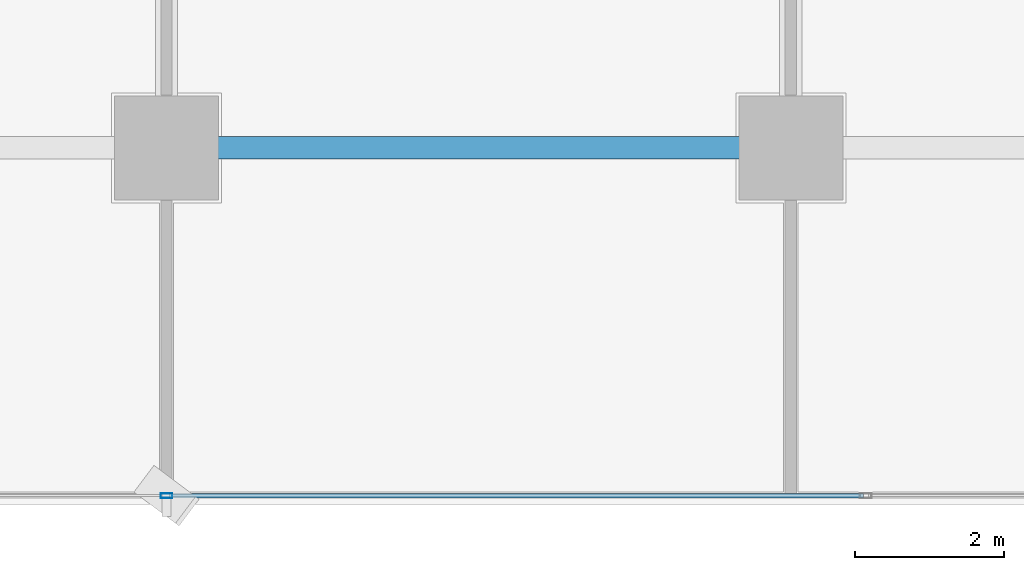
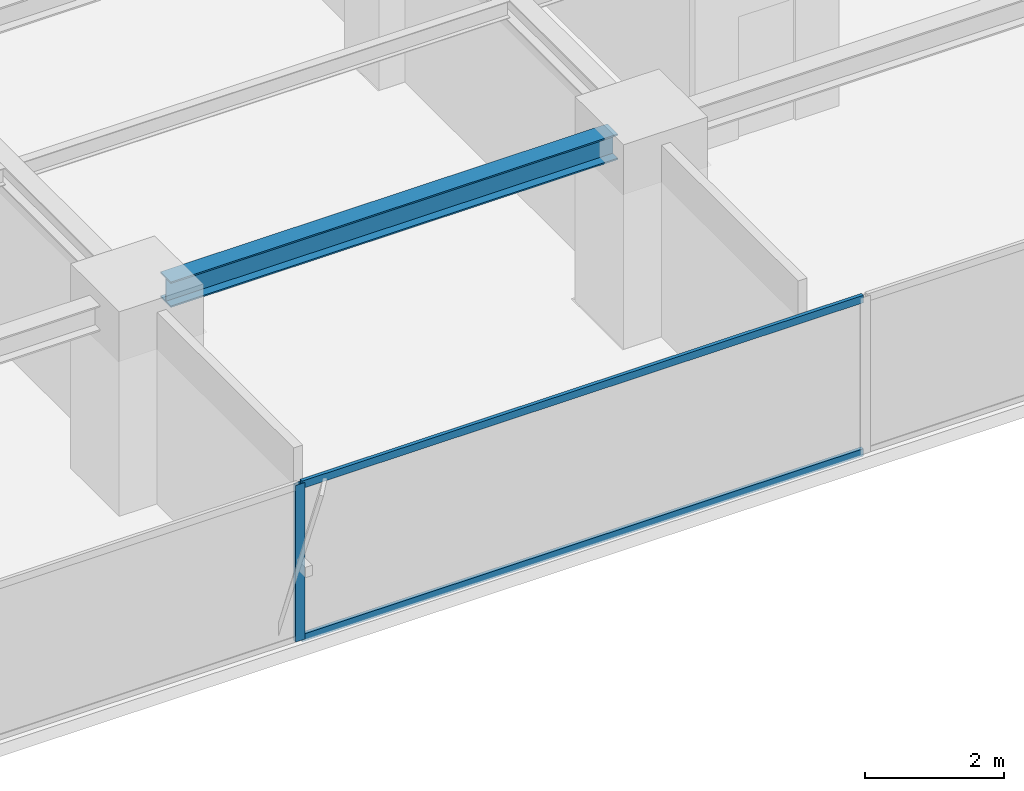
# One storey, part 5 of 28: 3 members, 1 beam, 1 element without a shape of its own.
"""IFC4 building model written with IfcOpenShell, lengths in metres."""

from ifc_helpers import new_model, si_unit, direction, frame, origin, origin_2d, place, context, subcontext, project, spatial, hollow_rectangle, i_section, extrude, source, transform, mapped, material, layer, layer_set, material_profile, profile_set, type_object, element, aggregate, save


model = new_model("IFC4")

# Units and contexts
model_context = context("Model", 3, precision=1e-05, world=origin(), true_north=direction((0.0, 1.0)))
body_context = subcontext(model_context, "Body", "Model", "MODEL_VIEW")
ifc_project = project(units=[si_unit("LENGTHUNIT", "METRE"), si_unit("AREAUNIT", "SQUARE_METRE"), si_unit("VOLUMEUNIT", "CUBIC_METRE"), si_unit("PLANEANGLEUNIT", "RADIAN"), si_unit("MASSUNIT", "GRAM", prefix="KILO")], contexts=[model_context])

# Site, building, storey
site_placement = place(None, origin())
site = spatial("IfcSite", under=ifc_project, at=site_placement, CompositionType="ELEMENT")
building_placement = place(site_placement, origin())
building = spatial("IfcBuilding", under=site, at=building_placement, Name="Sumidabori Civic Tower", CompositionType="ELEMENT")
storey_placement = place(building_placement, frame((0.0, 0.0, 149.60009765625)))
storey = spatial("IfcBuildingStorey", under=building, at=storey_placement, Name="L38", CompositionType="ELEMENT", Elevation=149.60009765625)

# Beam
ifc_material_1 = material(Name="Steel SN490", Category="steel")
ifc_material_profile_1 = material_profile(ifc_material_1, i_section(OverallWidth=0.300048828125, OverallDepth=0.449951171875, WebThickness=0.013916015625, FlangeThickness=0.02587890625, at=origin_2d()), Name="HE 450 B")
ifc_profile_set_1 = profile_set([ifc_material_profile_1], Name="Steel SN490")
beam_type = type_object("IfcBeamType", Name="BM-GIRD-450", PredefinedType="BEAM", material=ifc_profile_set_1)
shared_shape_1 = source(origin(), body_context, "Body", "SweptSolid", [
    extrude(i_section(OverallWidth=0.300048828125, OverallDepth=0.449951171875, WebThickness=0.013916015625, FlangeThickness=0.02587890625, at=origin_2d()), origin(), (0.0, 0.0, 1.0), 7.43994140625),
])
beam_placement = place(storey_placement, frame((0.47998046875, -18.0, 3.15478515625), z_axis=(1.0, 0.0, 0.0), x_axis=(0.0, 1.0, 0.0)))
element("IfcBeam", 1, at=beam_placement, inside=storey, type_object=beam_type, Name="Primary Girder L38 GX-03", PredefinedType="BEAM", context=body_context, shape_type="MappedRepresentation", body=[
    mapped(shared_shape_1, transform((0.0, 0.0, 0.0), x_axis=(1.0, 0.0, 0.0), y_axis=(0.0, 1.0, 0.0), z_axis=(0.0, 0.0, 1.0), scale=1.0)),
])

# Curtain wall, members
ifc_material_2 = material(Name="Anodised Bronze Aluminium AW-6063-T6", Category="aluminium")
ifc_layer = layer(ifc_material_2, 0.179931640625, Name="Anodised Bronze Aluminium AW-6063-T6")
ifc_layer_set = layer_set([ifc_layer], Name="Anodised Bronze Aluminium AW-6063-T6")
curtain_wall_type = type_object("IfcCurtainWallType", Name="CW-SYS-3", PredefinedType="NOTDEFINED", material=ifc_layer_set)
curtain_wall_placement = place(storey_placement, origin())
curtain_wall = element("IfcCurtainWall", 2, at=curtain_wall_placement, inside=storey, type_object=curtain_wall_type, Name="Curtain Wall CW:L38:R01", PredefinedType="NOTDEFINED")
ifc_material_profile_2 = material_profile(ifc_material_2, hollow_rectangle(XDim=0.06494140625, YDim=0.159912109375, WallThickness=0.0048828125, at=origin_2d()), Name="ALU MULLION 160x65")
ifc_profile_set_2 = profile_set([ifc_material_profile_2], Name="Anodised Bronze Aluminium AW-6063-T6")
member_type_1 = type_object("IfcMemberType", Name="CW-MUL-160", PredefinedType="MULLION", material=ifc_profile_set_2)
shared_shape_2 = source(origin(), body_context, "Body", "SweptSolid", [
    extrude(hollow_rectangle(XDim=0.06494140625, YDim=0.159912109375, WallThickness=0.0048828125, at=origin_2d()), origin(), (0.0, 0.0, 1.0), 2.760009765625),
])
member_1_placement = place(storey_placement, frame((0.0, -22.679931640625, 0.0), z_axis=(0.0, 0.0, 1.0), x_axis=(0.0, 1.0, 0.0)))
member_1 = element("IfcMember", 3, at=member_1_placement, type_object=member_type_1, Name="CW-3 mullion 3", PredefinedType="MULLION", context=body_context, shape_type="MappedRepresentation", body=[
    mapped(shared_shape_2, transform((0.0, 0.0, 0.0), x_axis=(1.0, 0.0, 0.0), y_axis=(0.0, 1.0, 0.0), z_axis=(0.0, 0.0, 1.0), scale=1.0)),
])
ifc_material_profile_3 = material_profile(ifc_material_2, hollow_rectangle(XDim=0.06005859375, YDim=0.1298828125, WallThickness=0.0048828125, at=origin_2d()), Name="ALU TRANSOM 130x60")
ifc_profile_set_3 = profile_set([ifc_material_profile_3], Name="Anodised Bronze Aluminium AW-6063-T6")
member_type_2 = type_object("IfcMemberType", Name="CW-TRN-130", PredefinedType="USERDEFINED", material=ifc_profile_set_3)
shared_shape_3 = source(origin(), body_context, "Body", "SweptSolid", [
    extrude(hollow_rectangle(XDim=0.06005859375, YDim=0.1298828125, WallThickness=0.0048828125, at=origin_2d()), origin(), (0.0, 0.0, 1.0), 9.344970703125),
])
member_2_placement = place(storey_placement, frame((0.032470703125, -22.679931640625, 0.02978515625), z_axis=(1.0, 0.0, 0.0), x_axis=(0.0, 1.0, 0.0)))
member_2 = element("IfcMember", 4, at=member_2_placement, type_object=member_type_2, Name="CW-3 transom 3.1", ObjectType="TRANSOM", PredefinedType="USERDEFINED", context=body_context, shape_type="MappedRepresentation", body=[
    mapped(shared_shape_3, transform((0.0, 0.0, 0.0), x_axis=(1.0, 0.0, 0.0), y_axis=(0.0, 1.0, 0.0), z_axis=(0.0, 0.0, 1.0), scale=1.0)),
])
member_3_placement = place(storey_placement, frame((0.032470703125, -22.679931640625, 2.72998046875), z_axis=(1.0, 0.0, 0.0), x_axis=(0.0, 1.0, 0.0)))
member_3 = element("IfcMember", 5, at=member_3_placement, type_object=member_type_2, Name="CW-3 transom 3.2", ObjectType="TRANSOM", PredefinedType="USERDEFINED", context=body_context, shape_type="MappedRepresentation", body=[
    mapped(shared_shape_3, transform((0.0, 0.0, 0.0), x_axis=(1.0, 0.0, 0.0), y_axis=(0.0, 1.0, 0.0), z_axis=(0.0, 0.0, 1.0), scale=1.0)),
])
aggregate(curtain_wall, [member_1, member_2, member_3])

save(model, "model.ifc")
